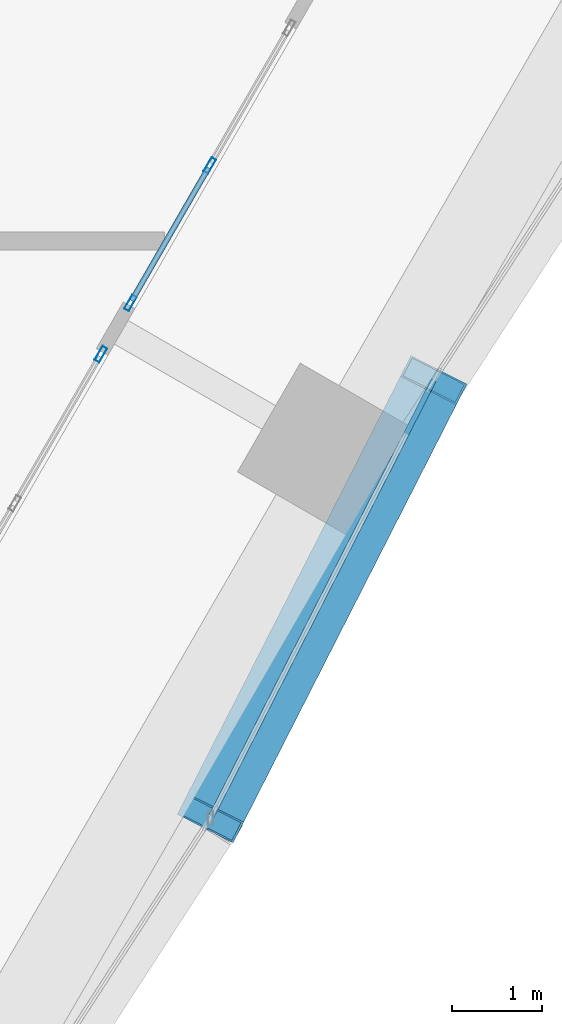
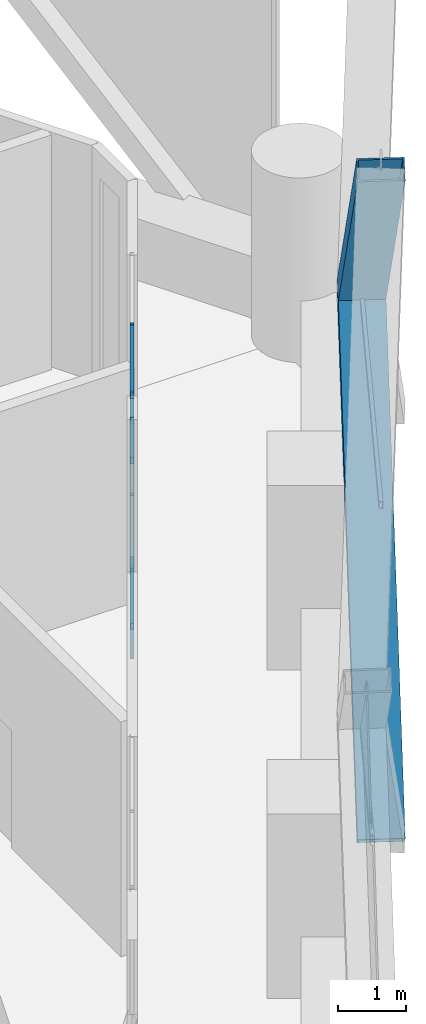
# One storey, part 20 of 46: 9 members, 3 elements without a shape of their own.
"""IFC4 building model written with IfcOpenShell, lengths in metres."""

import ifcopenshell
import ifcopenshell.guid

model = None  # the IFC model being written
_history = None  # IfcOwnerHistory: only IFC2X3 demands one
_inside = {}  # id of a spatial element -> (the spatial element, [elements in it])
_under = {}  # id of a project, library or spatial element -> (it, [spatial elements below it])
_declared = {}  # id of a project -> (the project, [libraries it declares])
_typed = {}  # id of a type object -> (the type object, [elements of that type])
_made_of = {}  # id of a material, layer set ... -> (it, [elements and type objects made of it])


def new_model(schema):
    """Start an empty IFC model of exactly this schema.

    Asked for "IFC4X3", IfcOpenShell would pick the latest addendum, in which some entities
    have other attributes; the version numbers below select the first issue.
    IFC2X3 requires an IfcOwnerHistory on every rooted entity: one is made here for all.
    """
    global model, _history
    if schema == "IFC4X3":
        model = ifcopenshell.file(schema_version=(4, 3, 0, 0))
    else:
        model = ifcopenshell.file(schema=schema)
    _inside.clear()
    _under.clear()
    _declared.clear()
    _typed.clear()
    _made_of.clear()
    _history = None
    if model.schema == "IFC2X3":
        org = make("IfcOrganization", Name="unknown")
        user = make(
            "IfcPersonAndOrganization",
            ThePerson=make("IfcPerson", FamilyName="unknown"),
            TheOrganization=org,
        )
        app = make(
            "IfcApplication",
            ApplicationDeveloper=org,
            Version="unknown",
            ApplicationFullName="unknown",
            ApplicationIdentifier="unknown",
        )
        _history = make(
            "IfcOwnerHistory",
            OwningUser=user,
            OwningApplication=app,
            ChangeAction="ADDED",
            CreationDate=0,
        )
    return model


def make(cls, **values):
    """One entity of the class cls with the attributes given. An attribute that is None is left unset."""
    return model.create_entity(
        cls, **{name: value for name, value in values.items() if value is not None}
    )


def rooted(cls, **values):
    """An entity with a GlobalId (a new one), such as an element, a storey or a relation."""
    return make(cls, GlobalId=ifcopenshell.guid.new(), OwnerHistory=_history, **values)


def si_unit(unit_type, name, prefix=None):
    """IfcSIUnit, for example si_unit("LENGTHUNIT", "METRE", prefix="MILLI")."""
    return make("IfcSIUnit", UnitType=unit_type, Prefix=prefix, Name=name)


def assignment(units):
    """IfcUnitAssignment: the units of a project."""
    return None if units is None else make("IfcUnitAssignment", Units=units)


def point(xyz):
    """IfcCartesianPoint."""
    return None if xyz is None else make("IfcCartesianPoint", Coordinates=xyz)


def direction(xyz):
    """IfcDirection."""
    return None if xyz is None else make("IfcDirection", DirectionRatios=xyz)


def frame(location, z_axis=None, x_axis=None):
    """IfcAxis2Placement3D, a coordinate frame: its origin and axes. An axis left out is left unset."""
    return make(
        "IfcAxis2Placement3D",
        Location=point(location),
        Axis=direction(z_axis),
        RefDirection=direction(x_axis),
    )


def frame_2d(location, x_axis=None):
    """IfcAxis2Placement2D, a coordinate frame in the plane: its origin and x axis."""
    return make(
        "IfcAxis2Placement2D", Location=point(location), RefDirection=direction(x_axis)
    )


def origin():
    """The frame at (0, 0, 0) with its axes left unset."""
    return frame((0.0, 0.0, 0.0))


def origin_2d():
    """The frame at (0, 0) in the plane with its x axis left unset."""
    return frame_2d((0.0, 0.0))


def place(relative_to, where):
    """IfcLocalPlacement: puts the frame where relative to a parent placement (None: the world)."""
    return make(
        "IfcLocalPlacement", PlacementRelTo=relative_to, RelativePlacement=where
    )


def context(
    kind, dimensions, precision=None, world=None, true_north=None, identifier=None
):
    """IfcGeometricRepresentationContext, for example the 3D "Model" context."""
    return make(
        "IfcGeometricRepresentationContext",
        ContextIdentifier=identifier,
        ContextType=kind,
        CoordinateSpaceDimension=dimensions,
        Precision=precision,
        WorldCoordinateSystem=world,
        TrueNorth=true_north,
    )


def subcontext(parent, identifier, kind, view, scale=None):
    """IfcGeometricRepresentationSubContext, for example "Body" below "Model"."""
    return make(
        "IfcGeometricRepresentationSubContext",
        ContextIdentifier=identifier,
        ContextType=kind,
        ParentContext=parent,
        TargetScale=scale,
        TargetView=view,
    )


def project(units=None, contexts=None):
    """IfcProject with its units and contexts."""
    return rooted(
        "IfcProject",
        Name="project",
        RepresentationContexts=contexts,
        UnitsInContext=assignment(units),
    )


def spatial(cls, under=None, at=None, **own):
    """A site, building, storey or space (cls), placed at a placement, below another one or the project."""
    s = rooted(cls, ObjectPlacement=at, **own)
    if under is not None:
        _under.setdefault(under.id(), (under, []))[1].append(s)
    return s


def profile(cls, at=None, kind="AREA", **sizes):
    """A parametric profile (cls). Its sizes go by their IFC names, for example OverallWidth=200.0."""
    return make(cls, ProfileType=kind, Position=at, **sizes)


def hollow_rectangle(**sizes):
    """IfcRectangleHollowProfileDef."""
    return profile("IfcRectangleHollowProfileDef", **sizes)


def extrude(swept, where, along, depth):
    """IfcExtrudedAreaSolid: the profile swept, set in the frame where, extruded along a direction by depth."""
    return make(
        "IfcExtrudedAreaSolid",
        SweptArea=swept,
        Position=where,
        ExtrudedDirection=direction(along),
        Depth=depth,
    )


def shape(context_of_items, identifier, shape_type, items):
    """IfcShapeRepresentation: the items that make up one representation, for example the "Body"."""
    return make(
        "IfcShapeRepresentation",
        ContextOfItems=context_of_items,
        RepresentationIdentifier=identifier,
        RepresentationType=shape_type,
        Items=items,
    )


def material(Name=None, Category=None):
    """IfcMaterial."""
    return make("IfcMaterial", Name=Name, Category=Category)


def material_profile(
    of_material, cross_section, Name=None, Category=None, Priority=None
):
    """IfcMaterialProfile: a cross section and its material."""
    return make(
        "IfcMaterialProfile",
        Name=Name,
        Material=of_material,
        Profile=cross_section,
        Priority=Priority,
        Category=Category,
    )


def profile_set(profiles, Name=None, composite=None):
    """IfcMaterialProfileSet."""
    return make(
        "IfcMaterialProfileSet",
        Name=Name,
        MaterialProfiles=profiles,
        CompositeProfile=composite,
    )


def made_of(thing, what):
    """Note that an element or type object is made of a material, layer set ...; save() writes the relation."""
    if what is not None:
        _made_of.setdefault(what.id(), (what, []))[1].append(thing)
    return thing


def type_object(cls, material=None, **own):
    """A type object (cls), such as IfcWallType, which elements share."""
    return made_of(rooted(cls, **own), material)


def element(
    cls,
    number,
    at=None,
    inside=None,
    cuts=None,
    type_object=None,
    material=None,
    context=None,
    identifier="Body",
    shape_type=None,
    held_by="IfcProductDefinitionShape",
    body=None,
    shapes=None,
    **own,
):
    """One element of the class cls, such as IfcWall. Its Tag is "e" and its number.

    at: its placement. inside: the storey or other place that contains it. cuts: it is an
    opening in that element (IfcRelVoidsElement). A single representation is given by context,
    identifier, shape_type and body (its items); several are given by shapes. held_by: the class
    of the entity that holds the representations. save() writes the other relations.
    """
    e = rooted(cls, Tag="e%d" % number, ObjectPlacement=at, **own)
    if body is not None:
        shapes = [shape(context, identifier, shape_type, body)]
    if shapes is not None:
        e.Representation = make(held_by, Representations=shapes)
    if inside is not None:
        _inside.setdefault(inside.id(), (inside, []))[1].append(e)
    if cuts is not None:
        rooted(
            "IfcRelVoidsElement", RelatingBuildingElement=cuts, RelatedOpeningElement=e
        )
    if type_object is not None:
        _typed.setdefault(type_object.id(), (type_object, []))[1].append(e)
    return made_of(e, material)


def aggregate(whole, parts):
    """IfcRelAggregates: a whole, such as a stair, and the parts it consists of."""
    return rooted("IfcRelAggregates", RelatingObject=whole, RelatedObjects=parts)


def save(model, path):
    """Write the relations noted so far, then the file.

    IfcRelAggregates (storeys below a building ...), IfcRelContainedInSpatialStructure (elements
    in a storey), IfcRelDefinesByType, IfcRelAssociatesMaterial and IfcRelDeclares: one each for
    every whole, place, type object, material and project.
    """
    for whole, parts in _under.values():
        aggregate(whole, parts)
    for where, things in _inside.values():
        rooted(
            "IfcRelContainedInSpatialStructure",
            RelatedElements=things,
            RelatingStructure=where,
        )
    for kind, things in _typed.values():
        rooted("IfcRelDefinesByType", RelatedObjects=things, RelatingType=kind)
    for what, things in _made_of.values():
        rooted("IfcRelAssociatesMaterial", RelatedObjects=things, RelatingMaterial=what)
    for by, libraries in _declared.values():
        rooted("IfcRelDeclares", RelatingContext=by, RelatedDefinitions=libraries)
    model.write(path)


model = new_model("IFC4")

# Units and contexts
model_context = context("Model", 3, precision=1e-05, world=origin(), true_north=direction((0.0, 1.0)))
body_context = subcontext(model_context, "Body", "Model", "MODEL_VIEW")
ifc_project = project(units=[si_unit("LENGTHUNIT", "METRE"), si_unit("AREAUNIT", "SQUARE_METRE"), si_unit("VOLUMEUNIT", "CUBIC_METRE"), si_unit("PLANEANGLEUNIT", "RADIAN"), si_unit("MASSUNIT", "GRAM", prefix="KILO")], contexts=[model_context])

# Site, building, storey
site_placement = place(None, origin())
site = spatial("IfcSite", under=ifc_project, at=site_placement, CompositionType="ELEMENT")
building_placement = place(site_placement, origin())
building = spatial("IfcBuilding", under=site, at=building_placement, Name="Ostrander Bayou Hotel Tower", CompositionType="ELEMENT")
storey_placement = place(building_placement, frame((0.0, 0.0, 23.5)))
storey = spatial("IfcBuildingStorey", under=building, at=storey_placement, Name="L05", CompositionType="ELEMENT", Elevation=23.5)

# Curtain wall, member
ifc_material_1 = material(Name="Aluminium and clear glass", Category="aluminium")
curtain_wall_type_1 = type_object("IfcCurtainWallType", Name="CW-LAT lattice glazing", PredefinedType="NOTDEFINED", material=ifc_material_1)
curtain_wall_1_placement = place(storey_placement, origin())
curtain_wall_1 = element("IfcCurtainWall", 1, at=curtain_wall_1_placement, inside=storey, type_object=curtain_wall_type_1, Name="CW-LAT L05 SE 2", PredefinedType="NOTDEFINED")
ifc_material_2 = material(Name="Aluminium", Category="aluminium")
ifc_material_profile_1 = material_profile(ifc_material_2, hollow_rectangle(XDim=0.06005859375, YDim=0.1201171875, WallThickness=0.00390625, at=origin_2d()))
ifc_profile_set_1 = profile_set([ifc_material_profile_1], Name="Aluminium")
member_type_1 = type_object("IfcMemberType", Name="CW-LA transom 60 x 120 mm", PredefinedType="USERDEFINED", material=ifc_profile_set_1)
member_1_placement = place(storey_placement, frame((19.11328125, -11.034912109375, 5.39990234375), z_axis=(0.453987151201, 0.891008230346, 0.0), x_axis=(-0.891008230346, 0.453987151201, 0.0)))
member_1 = element("IfcMember", 2, at=member_1_placement, type_object=member_type_1, Name="CW-LAT transom 7", ObjectType="TRANSOM", PredefinedType="USERDEFINED", context=body_context, shape_type="SweptSolid", body=[
    extrude(hollow_rectangle(XDim=0.06005859375, YDim=0.1201171875, WallThickness=0.00390625, at=origin_2d()), origin(), (0.0, 0.0, 1.0), 5.482666015625),
])
aggregate(curtain_wall_1, [member_1])

ifc_material_3 = material(Name="Aluminium and clear glass", Category="aluminium")
curtain_wall_type_2 = type_object("IfcCurtainWallType", Name="CW-SKY amenity glass wall", PredefinedType="NOTDEFINED", material=ifc_material_3)
curtain_wall_2_placement = place(storey_placement, origin())
curtain_wall_2 = element("IfcCurtainWall", 3, at=curtain_wall_2_placement, inside=storey, type_object=curtain_wall_type_2, Name="CW-SKY L05 SE 3", PredefinedType="NOTDEFINED")
ifc_material_4 = material(Name="Aluminium", Category="aluminium")
ifc_material_profile_2 = material_profile(ifc_material_4, hollow_rectangle(XDim=0.06005859375, YDim=0.179931640625, WallThickness=0.00390625, at=origin_2d()))
ifc_profile_set_2 = profile_set([ifc_material_profile_2], Name="Aluminium")
member_type_2 = type_object("IfcMemberType", Name="CW-SK mullion 60 x 180 mm", PredefinedType="MULLION", material=ifc_profile_set_2)
member_2_placement = place(storey_placement, frame((17.8916015625, -5.861083984375, 0.0), z_axis=(0.0, 0.0, 1.0), x_axis=(-0.866025463091, 0.499999897278, 0.0)))
member_2 = element("IfcMember", 4, at=member_2_placement, type_object=member_type_2, Name="CW-SKY mullion 3", PredefinedType="MULLION", context=body_context, shape_type="SweptSolid", body=[
    extrude(hollow_rectangle(XDim=0.06005859375, YDim=0.179931640625, WallThickness=0.00390625, at=origin_2d()), origin(), (0.0, 0.0, 1.0), 4.199951171875),
])
aggregate(curtain_wall_2, [member_2])

# Curtain wall, members
curtain_wall_3_placement = place(storey_placement, origin())
curtain_wall_3 = element("IfcCurtainWall", 5, at=curtain_wall_3_placement, inside=storey, type_object=curtain_wall_type_2, Name="CW-SKY L05 SE 4", PredefinedType="NOTDEFINED")
member_3_placement = place(storey_placement, frame((18.221435546875, -5.289306640625, 0.0), z_axis=(0.0, 0.0, 1.0), x_axis=(-0.866025997283, 0.499998972029, 0.0)))
member_3 = element("IfcMember", 6, at=member_3_placement, type_object=member_type_2, Name="CW-SKY mullion 1", PredefinedType="MULLION", context=body_context, shape_type="SweptSolid", body=[
    extrude(hollow_rectangle(XDim=0.06005859375, YDim=0.179931640625, WallThickness=0.00390625, at=origin_2d()), origin(), (0.0, 0.0, 1.0), 4.199951171875),
])
member_4_placement = place(storey_placement, frame((19.1064453125, -3.756591796875, 0.0), z_axis=(0.0, 0.0, 1.0), x_axis=(-0.866025997283, 0.499998972029, 0.0)))
member_4 = element("IfcMember", 7, at=member_4_placement, type_object=member_type_2, Name="CW-SKY mullion 2", PredefinedType="MULLION", context=body_context, shape_type="SweptSolid", body=[
    extrude(hollow_rectangle(XDim=0.06005859375, YDim=0.179931640625, WallThickness=0.00390625, at=origin_2d()), origin(), (0.0, 0.0, 1.0), 4.199951171875),
])
ifc_material_5 = material(Name="Aluminium", Category="aluminium")
ifc_material_profile_3 = material_profile(ifc_material_5, hollow_rectangle(XDim=0.06005859375, YDim=0.1201171875, WallThickness=0.00390625, at=origin_2d()))
ifc_profile_set_3 = profile_set([ifc_material_profile_3], Name="Aluminium")
member_type_3 = type_object("IfcMemberType", Name="CW-SK transom 60 x 120 mm", PredefinedType="USERDEFINED", material=ifc_profile_set_3)
member_5_placement = place(storey_placement, frame((18.236572265625, -5.263427734375, 0.030029296875), z_axis=(0.499977863513, 0.866038183914, 0.0), x_axis=(-0.866038183914, 0.499977863513, 0.0)))
member_5 = element("IfcMember", 8, at=member_5_placement, type_object=member_type_3, Name="CW-SKY transom 1.1", ObjectType="TRANSOM", PredefinedType="USERDEFINED", context=body_context, shape_type="SweptSolid", body=[
    extrude(hollow_rectangle(XDim=0.06005859375, YDim=0.1201171875, WallThickness=0.00390625, at=origin_2d()), origin(), (0.0, 0.0, 1.0), 1.7099609375),
])
member_6_placement = place(storey_placement, frame((18.236572265625, -5.263427734375, 3.0), z_axis=(0.499977863513, 0.866038183914, 0.0), x_axis=(-0.866038183914, 0.499977863513, 0.0)))
member_6 = element("IfcMember", 9, at=member_6_placement, type_object=member_type_3, Name="CW-SKY transom 1.2", ObjectType="TRANSOM", PredefinedType="USERDEFINED", context=body_context, shape_type="SweptSolid", body=[
    extrude(hollow_rectangle(XDim=0.06005859375, YDim=0.1201171875, WallThickness=0.00390625, at=origin_2d()), origin(), (0.0, 0.0, 1.0), 1.7099609375),
])
member_7_placement = place(storey_placement, frame((18.236572265625, -5.263427734375, 4.169921875), z_axis=(0.499977863513, 0.866038183914, 0.0), x_axis=(-0.866038183914, 0.499977863513, 0.0)))
member_7 = element("IfcMember", 10, at=member_7_placement, type_object=member_type_3, Name="CW-SKY transom 1.3", ObjectType="TRANSOM", PredefinedType="USERDEFINED", context=body_context, shape_type="SweptSolid", body=[
    extrude(hollow_rectangle(XDim=0.06005859375, YDim=0.1201171875, WallThickness=0.00390625, at=origin_2d()), origin(), (0.0, 0.0, 1.0), 1.7099609375),
])
aggregate(curtain_wall_3, [member_3, member_4, member_5, member_6, member_7])

# Members
ifc_material_6 = material(Name="Steel ASTM A572 Gr 50", Category="steel")
ifc_material_profile_4 = material_profile(ifc_material_6, hollow_rectangle(XDim=0.699951171875, YDim=0.35009765625, WallThickness=0.02490234375, at=origin_2d()))
ifc_profile_set_4 = profile_set([ifc_material_profile_4], Name="Steel ASTM A572 Gr 50")
member_type_4 = type_object("IfcMemberType", Name="LT1 lattice member box 700 x 350 x 25 mm", PredefinedType="BRACE", material=ifc_profile_set_4)
for number, where, z_axis, x_axis, name in (
    (11, (21.602294921875, -6.14990234375, 5.39990234375), (-0.306240691735, -0.601036782828, -0.738221798929), (0.891008230346, -0.453987151201, 0.0), "LT1 L05 SE 5"),
    (12, (21.602294921875, -6.14990234375, 5.39990234375), (-0.306240691735, -0.601036782828, 0.738221798929), (0.891008230346, -0.453987151201, 0.0), "LT1 L05 SE 6"),
):
    element("IfcMember", number, at=place(storey_placement, frame(where, z_axis=z_axis, x_axis=x_axis)), inside=storey, type_object=member_type_4, Name=name, PredefinedType="BRACE", context=body_context, shape_type="SweptSolid", body=[
        extrude(hollow_rectangle(XDim=0.699951171875, YDim=0.35009765625, WallThickness=0.02490234375, at=origin_2d()), origin(), (0.0, 0.0, 1.0), 8.127685546875),
    ])

save(model, "model.ifc")
